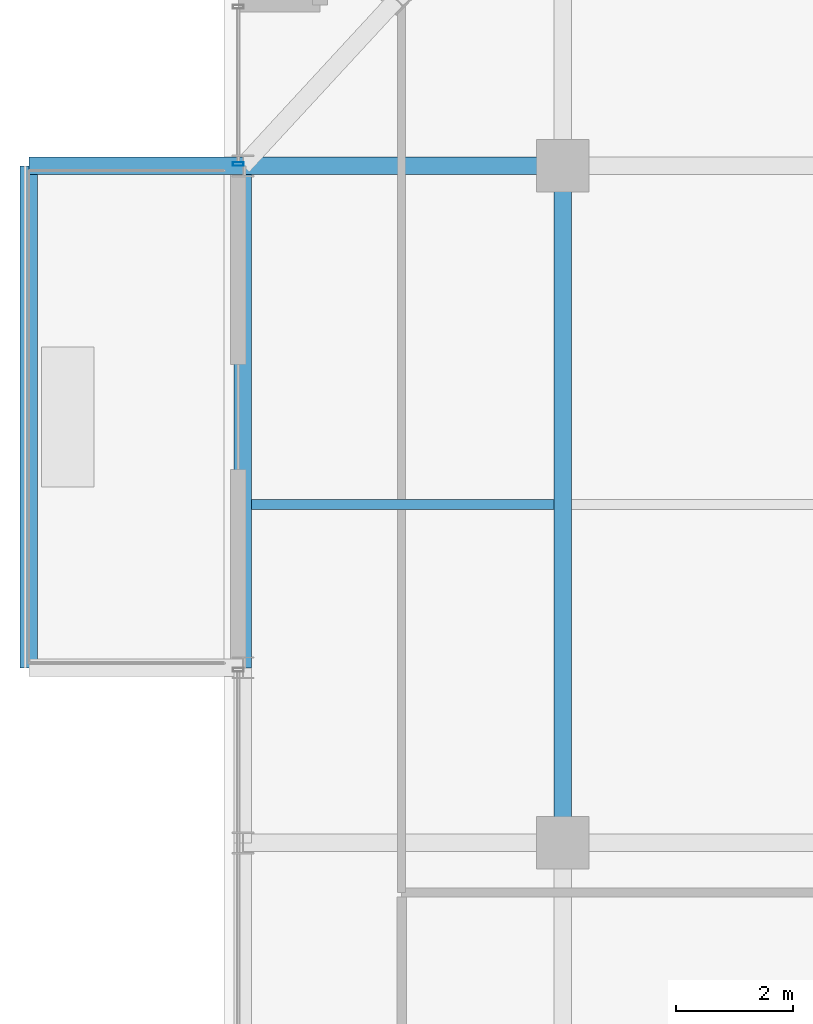
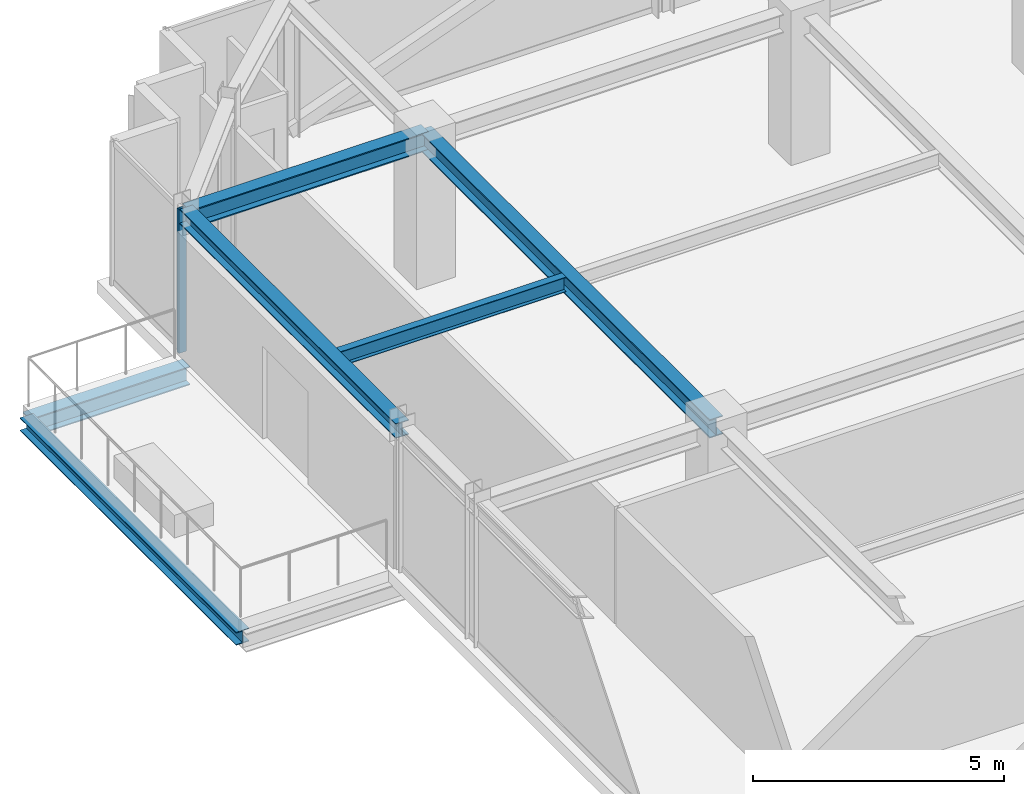
# One storey, part 17 of 36: 6 beams, 1 member, 1 element without a shape of its own.
"""IFC4 building model written with IfcOpenShell, lengths in metres."""

from ifc_helpers import new_model, si_unit, direction, frame, origin, origin_2d, place, context, subcontext, project, spatial, hollow_rectangle, i_section, extrude, source, transform, mapped, material, material_profile, profile_set, type_object, element, aggregate, save


model = new_model("IFC4")

# Units and contexts
model_context = context("Model", 3, precision=1e-05, world=origin(), true_north=direction((0.0, 1.0)))
body_context = subcontext(model_context, "Body", "Model", "MODEL_VIEW")
ifc_project = project(units=[si_unit("LENGTHUNIT", "METRE"), si_unit("AREAUNIT", "SQUARE_METRE"), si_unit("VOLUMEUNIT", "CUBIC_METRE"), si_unit("PLANEANGLEUNIT", "RADIAN"), si_unit("MASSUNIT", "GRAM", prefix="KILO")], contexts=[model_context])

# Site, building, storey
site_placement = place(None, origin())
site = spatial("IfcSite", under=ifc_project, at=site_placement, CompositionType="ELEMENT")
building_placement = place(site_placement, origin())
building = spatial("IfcBuilding", under=site, at=building_placement, Name="Nahalor Promenade Grand Hotel", CompositionType="ELEMENT")
storey_placement = place(building_placement, frame((0.0, 0.0, 319.550048828125)))
storey = spatial("IfcBuildingStorey", under=building, at=storey_placement, Name="L82", CompositionType="ELEMENT", Elevation=319.550048828125)

# Beams
ifc_material_1 = material(Name="Steel S355JR", Category="steel")
ifc_material_profile_1 = material_profile(ifc_material_1, i_section(OverallWidth=0.3, OverallDepth=0.32, WebThickness=0.0115, FlangeThickness=0.0205, at=origin_2d()), Name="HEB 320")
ifc_profile_set_1 = profile_set([ifc_material_profile_1], Name="Steel S355JR")
beam_type_1 = type_object("IfcBeamType", Name="Beam-BalcEdge-HEB320", PredefinedType="SPANDREL", material=ifc_profile_set_1)
shared_shape_1 = source(origin(), body_context, "Body", "SweptSolid", [
    extrude(i_section(OverallWidth=0.3, OverallDepth=0.32, WebThickness=0.0115, FlangeThickness=0.0205, at=origin_2d()), origin(), (0.0, 0.0, 1.0), 8.60009765625),
])
beam_1_placement = place(storey_placement, frame((-26.14990234375, 8.39990234375, -0.43994140625), z_axis=(0.0, 1.0, 0.0), x_axis=(-1.0, 0.0, 0.0)))
element("IfcBeam", 1, at=beam_1_placement, inside=storey, type_object=beam_type_1, Name="BM-L82-BC-02-F", PredefinedType="SPANDREL", context=body_context, shape_type="MappedRepresentation", body=[
    mapped(shared_shape_1, transform((0.0, 0.0, 0.0), scale=1.0)),
])
ifc_material_profile_2 = material_profile(ifc_material_1, i_section(OverallWidth=0.3, OverallDepth=0.45, WebThickness=0.014, FlangeThickness=0.026, at=origin_2d()), Name="HEB 450")
ifc_profile_set_2 = profile_set([ifc_material_profile_2], Name="Steel S355JR")
beam_type_2 = type_object("IfcBeamType", Name="Beam-Outrigger-HEB450", PredefinedType="BEAM", material=ifc_profile_set_2)
shared_shape_2 = source(origin(), body_context, "Body", "SweptSolid", [
    extrude(i_section(OverallWidth=0.3, OverallDepth=0.45, WebThickness=0.014, FlangeThickness=0.026, at=origin_2d()), origin(), (0.0, 0.0, 1.0), 3.669921875),
])
beam_2_placement = place(storey_placement, frame((-26.14990234375, 17.0, -0.505126953125), z_axis=(1.0, 0.0, 0.0), x_axis=(0.0, 1.0, 0.0)))
element("IfcBeam", 2, at=beam_2_placement, inside=storey, type_object=beam_type_2, Name="BM-L82-BC-02-2", PredefinedType="BEAM", context=body_context, shape_type="MappedRepresentation", body=[
    mapped(shared_shape_2, transform((0.0, 0.0, 0.0), scale=1.0)),
])
ifc_material_profile_3 = material_profile(ifc_material_1, i_section(OverallWidth=0.3, OverallDepth=0.45, WebThickness=0.014, FlangeThickness=0.026, at=origin_2d()), Name="HEB 450")
ifc_profile_set_3 = profile_set([ifc_material_profile_3], Name="Steel S355JR")
beam_type_3 = type_object("IfcBeamType", Name="Beam-Girder-HEB450", PredefinedType="BEAM", material=ifc_profile_set_3)
shared_shape_3 = source(origin(), body_context, "Body", "SweptSolid", [
    extrude(i_section(OverallWidth=0.3, OverallDepth=0.45, WebThickness=0.014, FlangeThickness=0.026, at=origin_2d()), origin(), (0.0, 0.0, 1.0), 11.60009765625),
])
beam_3_placement = place(storey_placement, frame((-17.0, 5.39990234375, 3.27490234375), z_axis=(0.0, 1.0, 0.0), x_axis=(-1.0, 0.0, 0.0)))
element("IfcBeam", 3, at=beam_3_placement, inside=storey, type_object=beam_type_3, Name="BM-L82-GY-0-3", PredefinedType="BEAM", context=body_context, shape_type="MappedRepresentation", body=[
    mapped(shared_shape_3, transform((0.0, 0.0, 0.0), scale=1.0)),
])
shared_shape_4 = source(origin(), body_context, "Body", "SweptSolid", [
    extrude(i_section(OverallWidth=0.3, OverallDepth=0.45, WebThickness=0.014, FlangeThickness=0.026, at=origin_2d()), origin(), (0.0, 0.0, 1.0), 5.47998046875),
])
beam_4_placement = place(storey_placement, frame((-22.47998046875, 17.0, 3.27490234375), z_axis=(1.0, 0.0, 0.0), x_axis=(0.0, 1.0, 0.0)))
element("IfcBeam", 4, at=beam_4_placement, inside=storey, type_object=beam_type_3, Name="BM-L82-GX-3-0", PredefinedType="BEAM", context=body_context, shape_type="MappedRepresentation", body=[
    mapped(shared_shape_4, transform((0.0, 0.0, 0.0), scale=1.0)),
])
ifc_material_profile_4 = material_profile(ifc_material_1, i_section(OverallWidth=0.3, OverallDepth=0.36, WebThickness=0.0125, FlangeThickness=0.0225, at=origin_2d()), Name="HEB 360")
ifc_profile_set_4 = profile_set([ifc_material_profile_4], Name="Steel S355JR")
beam_type_4 = type_object("IfcBeamType", Name="Beam-Spandrel-HEB360", PredefinedType="SPANDREL", material=ifc_profile_set_4)
shared_shape_5 = source(origin(), body_context, "Body", "SweptSolid", [
    extrude(i_section(OverallWidth=0.3, OverallDepth=0.36, WebThickness=0.0125, FlangeThickness=0.0225, at=origin_2d()), origin(), (0.0, 0.0, 1.0), 8.60009765625),
])
beam_5_placement = place(storey_placement, frame((-22.47998046875, 8.39990234375, 3.320068359375), z_axis=(0.0, 1.0, 0.0), x_axis=(-1.0, 0.0, 0.0)))
element("IfcBeam", 5, at=beam_5_placement, inside=storey, type_object=beam_type_4, Name="BM-L82-SP-W-4", PredefinedType="SPANDREL", context=body_context, shape_type="MappedRepresentation", body=[
    mapped(shared_shape_5, transform((0.0, 0.0, 0.0), scale=1.0)),
])
ifc_material_profile_5 = material_profile(ifc_material_1, i_section(OverallWidth=0.17, OverallDepth=0.36, WebThickness=0.008, FlangeThickness=0.0127, at=origin_2d()), Name="IPE 360")
ifc_profile_set_5 = profile_set([ifc_material_profile_5], Name="Steel S355JR")
beam_type_5 = type_object("IfcBeamType", Name="Beam-Joist-IPE360", PredefinedType="JOIST", material=ifc_profile_set_5)
shared_shape_6 = source(origin(), body_context, "Body", "SweptSolid", [
    extrude(i_section(OverallWidth=0.17, OverallDepth=0.36, WebThickness=0.008, FlangeThickness=0.0127, at=origin_2d()), origin(), (0.0, 0.0, 1.0), 5.18017578125),
])
beam_6_placement = place(storey_placement, frame((-22.330078125, 11.199951171875, 3.320068359375), z_axis=(1.0, 0.0, 0.0), x_axis=(0.0, 1.0, 0.0)))
element("IfcBeam", 6, at=beam_6_placement, inside=storey, type_object=beam_type_5, Name="BM-L82-JSW-1-0", PredefinedType="JOIST", context=body_context, shape_type="MappedRepresentation", body=[
    mapped(shared_shape_6, transform((0.0, 0.0, 0.0), scale=1.0)),
])

# Curtain wall, member
ifc_material_2 = material(Name="Anodised Bronze Aluminium EN AW-6063 T6", Category="aluminium")
curtain_wall_type = type_object("IfcCurtainWallType", Name="CW2 Typical Hotel Flush Bronze Unitised Curtain Wall", PredefinedType="USERDEFINED", material=ifc_material_2)
curtain_wall_placement = place(storey_placement, origin())
curtain_wall = element("IfcCurtainWall", 7, at=curtain_wall_placement, inside=storey, type_object=curtain_wall_type, Name="L82 Curtain Wall CW-L82-W-3", ObjectType="UNITISED_CURTAIN_WALL", PredefinedType="USERDEFINED")
ifc_material_profile_6 = material_profile(ifc_material_2, hollow_rectangle(XDim=0.065, YDim=0.18, WallThickness=0.004, at=origin_2d()), Name="CWM 65x180x4")
ifc_profile_set_6 = profile_set([ifc_material_profile_6], Name="Anodised Bronze Aluminium EN AW-6063 T6")
member_type = type_object("IfcMemberType", Name="CWM2 Typical Bronze Mullion 65x180", PredefinedType="MULLION", material=ifc_profile_set_6)
shared_shape_7 = source(origin(), body_context, "Body", "SweptSolid", [
    extrude(hollow_rectangle(XDim=0.065, YDim=0.18, WallThickness=0.004, at=origin_2d()), origin(), (0.0, 0.0, 1.0), 3.5),
])
member_placement = place(storey_placement, frame((-22.56005859375, 17.032470703125, 0.0), z_axis=(0.0, 0.0, 1.0), x_axis=(0.0, 1.0, 0.0)))
member = element("IfcMember", 8, at=member_placement, type_object=member_type, Name="CW-L82-W-3 Mullion 0", PredefinedType="MULLION", context=body_context, shape_type="MappedRepresentation", body=[
    mapped(shared_shape_7, transform((0.0, 0.0, 0.0), scale=1.0)),
])
aggregate(curtain_wall, [member])

save(model, "model.ifc")
